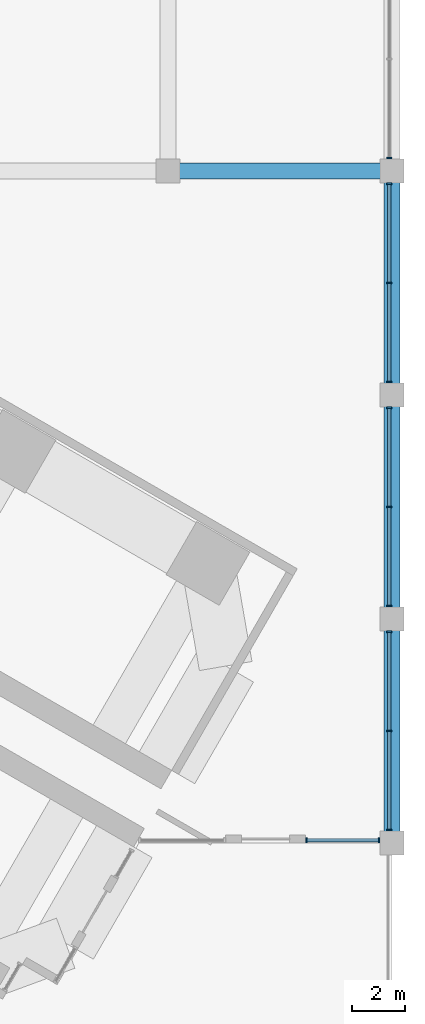
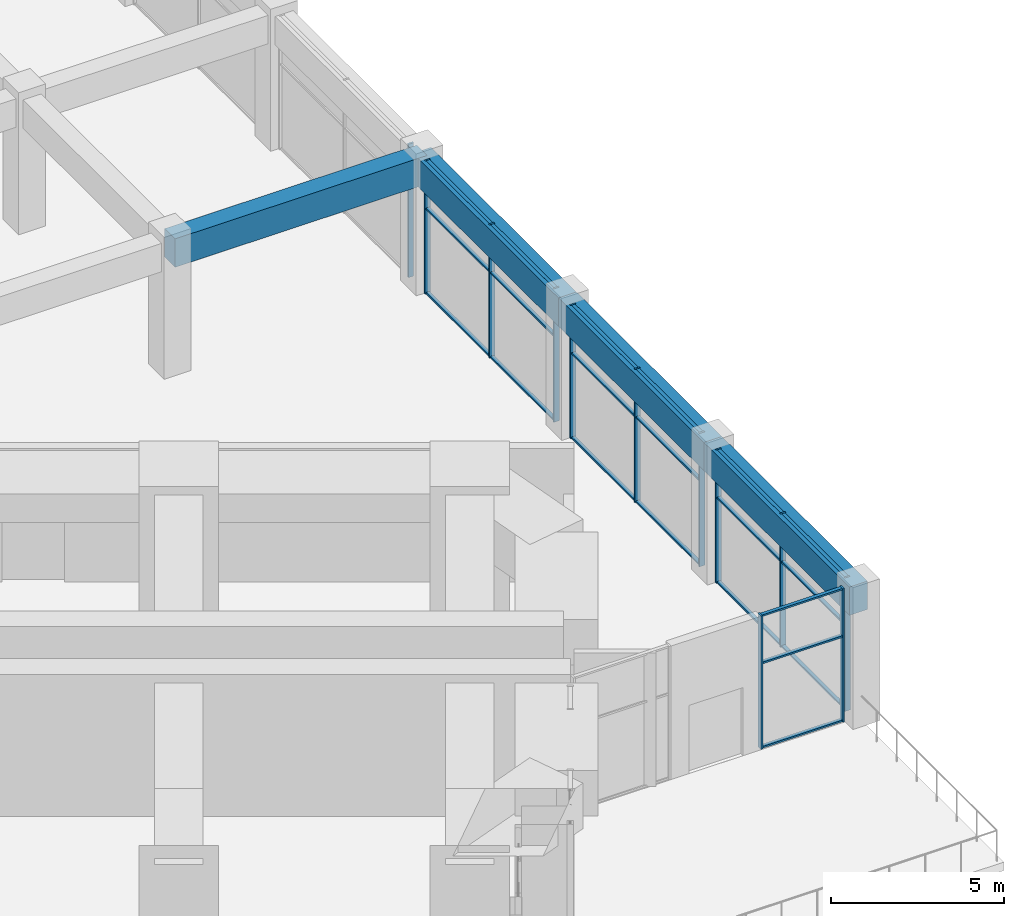
# One storey, part 13 of 34: 33 members, 4 beams, 5 elements without a shape of their own.
"""IFC4 building model written with IfcOpenShell, lengths in metres."""

from ifc_helpers import new_model, si_unit, direction, frame, origin, origin_2d, place, context, subcontext, project, spatial, rectangle, extrude, material, material_profile, profile_set, type_object, element, aggregate, save


model = new_model("IFC4")

# Units and contexts
model_context = context("Model", 3, precision=1e-05, world=origin(), true_north=direction((0.0, 1.0)))
body_context = subcontext(model_context, "Body", "Model", "MODEL_VIEW")
ifc_project = project(units=[si_unit("LENGTHUNIT", "METRE"), si_unit("AREAUNIT", "SQUARE_METRE"), si_unit("VOLUMEUNIT", "CUBIC_METRE"), si_unit("PLANEANGLEUNIT", "RADIAN"), si_unit("MASSUNIT", "GRAM", prefix="KILO")], contexts=[model_context])

# Site, building, storey
site_placement = place(None, origin())
site = spatial("IfcSite", under=ifc_project, at=site_placement, CompositionType="ELEMENT")
building_placement = place(site_placement, origin())
building = spatial("IfcBuilding", under=site, at=building_placement, Name="Impinga Residences", CompositionType="ELEMENT")
storey_placement = place(building_placement, frame((0.0, 0.0, 11.0)))
storey = spatial("IfcBuildingStorey", under=building, at=storey_placement, Name="L02", CompositionType="ELEMENT", Elevation=11.0)

# Curtain wall, member
ifc_material_1 = material(Name="Aluminium stick curtain wall", Category="aluminium")
curtain_wall_type = type_object("IfcCurtainWallType", Name="CW1 podium amenity curtain wall", PredefinedType="USERDEFINED", material=ifc_material_1)
curtain_wall_1_placement = place(storey_placement, origin())
curtain_wall_1 = element("IfcCurtainWall", 1, at=curtain_wall_1_placement, inside=storey, type_object=curtain_wall_type, Name="Curtain wall CW1 L02", ObjectType="STICK CURTAIN WALL", PredefinedType="USERDEFINED")
ifc_material_2 = material(Name="Aluminium mullion", Category="aluminium")
ifc_material_profile_1 = material_profile(ifc_material_2, rectangle(XDim=0.06005859375, YDim=0.179931640625, at=origin_2d()), Name="60x180 mullion")
ifc_profile_set_1 = profile_set([ifc_material_profile_1], Name="Aluminium mullion")
member_type_1 = type_object("IfcMemberType", Name="CW1-M mullion 60x180", PredefinedType="MULLION", material=ifc_profile_set_1)
member_1_placement = place(storey_placement, frame((50.300048828125, 0.48291015625, 0.0), z_axis=(0.0, 0.0, 1.0), x_axis=(0.0, -1.0, 0.0)))
member_1 = element("IfcMember", 2, at=member_1_placement, type_object=member_type_1, Name="CW1 mullion 3", PredefinedType="MULLION", context=body_context, shape_type="SweptSolid", body=[
    extrude(rectangle(XDim=0.06005859375, YDim=0.179931640625, at=origin_2d()), origin(), (0.0, 0.0, 1.0), 4.699951171875),
])
aggregate(curtain_wall_1, [member_1])

# Curtain wall, members
curtain_wall_2_placement = place(storey_placement, origin())
curtain_wall_2 = element("IfcCurtainWall", 3, at=curtain_wall_2_placement, inside=storey, type_object=curtain_wall_type, Name="Curtain wall CW1 L02", ObjectType="STICK CURTAIN WALL", PredefinedType="USERDEFINED")
member_2_placement = place(storey_placement, frame((50.300048828125, -0.48291015625, 0.0), z_axis=(0.0, 0.0, 1.0), x_axis=(0.0, -1.0, 0.0)))
member_2 = element("IfcMember", 4, at=member_2_placement, type_object=member_type_1, Name="CW1 mullion 1", PredefinedType="MULLION", context=body_context, shape_type="SweptSolid", body=[
    extrude(rectangle(XDim=0.06005859375, YDim=0.179931640625, at=origin_2d()), origin(), (0.0, 0.0, 1.0), 4.699951171875),
])
member_3_placement = place(storey_placement, frame((50.300048828125, -4.199951171875, 0.0), z_axis=(0.0, 0.0, 1.0), x_axis=(0.0, -1.0, 0.0)))
member_3 = element("IfcMember", 5, at=member_3_placement, type_object=member_type_1, Name="CW1 mullion 2", PredefinedType="MULLION", context=body_context, shape_type="SweptSolid", body=[
    extrude(rectangle(XDim=0.06005859375, YDim=0.179931640625, at=origin_2d()), origin(), (0.0, 0.0, 1.0), 4.699951171875),
])
member_4_placement = place(storey_placement, frame((50.300048828125, -7.9169921875, 0.0), z_axis=(0.0, 0.0, 1.0), x_axis=(0.0, -1.0, 0.0)))
member_4 = element("IfcMember", 6, at=member_4_placement, type_object=member_type_1, Name="CW1 mullion 3", PredefinedType="MULLION", context=body_context, shape_type="SweptSolid", body=[
    extrude(rectangle(XDim=0.06005859375, YDim=0.179931640625, at=origin_2d()), origin(), (0.0, 0.0, 1.0), 4.699951171875),
])

curtain_wall_3_placement = place(storey_placement, origin())
curtain_wall_3 = element("IfcCurtainWall", 7, at=curtain_wall_3_placement, inside=storey, type_object=curtain_wall_type, Name="Curtain wall CW1 L02", ObjectType="STICK CURTAIN WALL", PredefinedType="USERDEFINED")
member_5_placement = place(storey_placement, frame((50.300048828125, -8.883056640625, 0.0), z_axis=(0.0, 0.0, 1.0), x_axis=(0.0, -1.0, 0.0)))
member_5 = element("IfcMember", 8, at=member_5_placement, type_object=member_type_1, Name="CW1 mullion 1", PredefinedType="MULLION", context=body_context, shape_type="SweptSolid", body=[
    extrude(rectangle(XDim=0.06005859375, YDim=0.179931640625, at=origin_2d()), origin(), (0.0, 0.0, 1.0), 4.699951171875),
])
member_6_placement = place(storey_placement, frame((50.300048828125, -12.60009765625, 0.0), z_axis=(0.0, 0.0, 1.0), x_axis=(0.0, -1.0, 0.0)))
member_6 = element("IfcMember", 9, at=member_6_placement, type_object=member_type_1, Name="CW1 mullion 2", PredefinedType="MULLION", context=body_context, shape_type="SweptSolid", body=[
    extrude(rectangle(XDim=0.06005859375, YDim=0.179931640625, at=origin_2d()), origin(), (0.0, 0.0, 1.0), 4.699951171875),
])
member_7_placement = place(storey_placement, frame((50.300048828125, -16.31689453125, 0.0), z_axis=(0.0, 0.0, 1.0), x_axis=(0.0, -1.0, 0.0)))
member_7 = element("IfcMember", 10, at=member_7_placement, type_object=member_type_1, Name="CW1 mullion 3", PredefinedType="MULLION", context=body_context, shape_type="SweptSolid", body=[
    extrude(rectangle(XDim=0.06005859375, YDim=0.179931640625, at=origin_2d()), origin(), (0.0, 0.0, 1.0), 4.699951171875),
])

curtain_wall_4_placement = place(storey_placement, origin())
curtain_wall_4 = element("IfcCurtainWall", 11, at=curtain_wall_4_placement, inside=storey, type_object=curtain_wall_type, Name="Curtain wall CW1 L02", ObjectType="STICK CURTAIN WALL", PredefinedType="USERDEFINED")
member_8_placement = place(storey_placement, frame((50.300048828125, -17.282958984375, 0.0), z_axis=(0.0, 0.0, 1.0), x_axis=(0.0, -1.0, 0.0)))
member_8 = element("IfcMember", 12, at=member_8_placement, type_object=member_type_1, Name="CW1 mullion 1", PredefinedType="MULLION", context=body_context, shape_type="SweptSolid", body=[
    extrude(rectangle(XDim=0.06005859375, YDim=0.179931640625, at=origin_2d()), origin(), (0.0, 0.0, 1.0), 4.699951171875),
])
member_9_placement = place(storey_placement, frame((50.300048828125, -21.0, 0.0), z_axis=(0.0, 0.0, 1.0), x_axis=(0.0, -1.0, 0.0)))
member_9 = element("IfcMember", 13, at=member_9_placement, type_object=member_type_1, Name="CW1 mullion 2", PredefinedType="MULLION", context=body_context, shape_type="SweptSolid", body=[
    extrude(rectangle(XDim=0.06005859375, YDim=0.179931640625, at=origin_2d()), origin(), (0.0, 0.0, 1.0), 4.699951171875),
])
member_10_placement = place(storey_placement, frame((50.300048828125, -24.717041015625, 0.0), z_axis=(0.0, 0.0, 1.0), x_axis=(0.0, -1.0, 0.0)))
member_10 = element("IfcMember", 14, at=member_10_placement, type_object=member_type_1, Name="CW1 mullion 3", PredefinedType="MULLION", context=body_context, shape_type="SweptSolid", body=[
    extrude(rectangle(XDim=0.06005859375, YDim=0.179931640625, at=origin_2d()), origin(), (0.0, 0.0, 1.0), 4.699951171875),
])

curtain_wall_5_placement = place(storey_placement, origin())
curtain_wall_5 = element("IfcCurtainWall", 15, at=curtain_wall_5_placement, inside=storey, type_object=curtain_wall_type, Name="Curtain wall CW1 L02", ObjectType="STICK CURTAIN WALL", PredefinedType="USERDEFINED")
member_11_placement = place(storey_placement, frame((49.9169921875, -25.10009765625, 0.0), z_axis=(0.0, 0.0, 1.0), x_axis=(-1.0, 0.0, 0.0)))
member_11 = element("IfcMember", 16, at=member_11_placement, type_object=member_type_1, Name="CW1 mullion 1", PredefinedType="MULLION", context=body_context, shape_type="SweptSolid", body=[
    extrude(rectangle(XDim=0.06005859375, YDim=0.179931640625, at=origin_2d()), origin(), (0.0, 0.0, 1.0), 4.699951171875),
])
member_12_placement = place(storey_placement, frame((47.1865234375, -25.10009765625, 0.0), z_axis=(0.0, 0.0, 1.0), x_axis=(-1.0, 0.0, 0.0)))
member_12 = element("IfcMember", 17, at=member_12_placement, type_object=member_type_1, Name="CW1 mullion 2", PredefinedType="MULLION", context=body_context, shape_type="SweptSolid", body=[
    extrude(rectangle(XDim=0.06005859375, YDim=0.179931640625, at=origin_2d()), origin(), (0.0, 0.0, 1.0), 4.699951171875),
])

# Member
ifc_material_3 = material(Name="Aluminium transom", Category="aluminium")
ifc_material_profile_2 = material_profile(ifc_material_3, rectangle(XDim=0.06005859375, YDim=0.1201171875, at=origin_2d()), Name="60x120 transom")
ifc_profile_set_2 = profile_set([ifc_material_profile_2], Name="Aluminium transom")
member_type_2 = type_object("IfcMemberType", Name="CW1-T transom 60x120", PredefinedType="USERDEFINED", material=ifc_profile_set_2)
member_13_placement = place(storey_placement, frame((50.300048828125, -0.512939453125, 0.030029296875), z_axis=(0.0, -1.0, 0.0), x_axis=(0.0, 0.0, 1.0)))
member_13 = element("IfcMember", 18, at=member_13_placement, type_object=member_type_2, Name="CW1 transom 1.1", ObjectType="TRANSOM", PredefinedType="USERDEFINED", context=body_context, shape_type="SweptSolid", body=[
    extrude(rectangle(XDim=0.06005859375, YDim=0.1201171875, at=origin_2d()), origin(), (0.0, 0.0, 1.0), 3.656982421875),
])

member_14_placement = place(storey_placement, frame((50.300048828125, -0.512939453125, 3.0), z_axis=(0.0, -1.0, 0.0), x_axis=(0.0, 0.0, 1.0)))
member_14 = element("IfcMember", 19, at=member_14_placement, type_object=member_type_2, Name="CW1 transom 1.2", ObjectType="TRANSOM", PredefinedType="USERDEFINED", context=body_context, shape_type="SweptSolid", body=[
    extrude(rectangle(XDim=0.06005859375, YDim=0.1201171875, at=origin_2d()), origin(), (0.0, 0.0, 1.0), 3.656982421875),
])

member_15_placement = place(storey_placement, frame((50.300048828125, -0.512939453125, 4.669921875), z_axis=(0.0, -1.0, 0.0), x_axis=(0.0, 0.0, 1.0)))
member_15 = element("IfcMember", 20, at=member_15_placement, type_object=member_type_2, Name="CW1 transom 1.3", ObjectType="TRANSOM", PredefinedType="USERDEFINED", context=body_context, shape_type="SweptSolid", body=[
    extrude(rectangle(XDim=0.06005859375, YDim=0.1201171875, at=origin_2d()), origin(), (0.0, 0.0, 1.0), 3.656982421875),
])

member_16_placement = place(storey_placement, frame((50.300048828125, -4.22998046875, 0.030029296875), z_axis=(0.0, -1.0, 0.0), x_axis=(0.0, 0.0, 1.0)))
member_16 = element("IfcMember", 21, at=member_16_placement, type_object=member_type_2, Name="CW1 transom 2.1", ObjectType="TRANSOM", PredefinedType="USERDEFINED", context=body_context, shape_type="SweptSolid", body=[
    extrude(rectangle(XDim=0.06005859375, YDim=0.1201171875, at=origin_2d()), origin(), (0.0, 0.0, 1.0), 3.656982421875),
])

member_17_placement = place(storey_placement, frame((50.300048828125, -4.22998046875, 3.0), z_axis=(0.0, -1.0, 0.0), x_axis=(0.0, 0.0, 1.0)))
member_17 = element("IfcMember", 22, at=member_17_placement, type_object=member_type_2, Name="CW1 transom 2.2", ObjectType="TRANSOM", PredefinedType="USERDEFINED", context=body_context, shape_type="SweptSolid", body=[
    extrude(rectangle(XDim=0.06005859375, YDim=0.1201171875, at=origin_2d()), origin(), (0.0, 0.0, 1.0), 3.656982421875),
])

member_18_placement = place(storey_placement, frame((50.300048828125, -4.22998046875, 4.669921875), z_axis=(0.0, -1.0, 0.0), x_axis=(0.0, 0.0, 1.0)))
member_18 = element("IfcMember", 23, at=member_18_placement, type_object=member_type_2, Name="CW1 transom 2.3", ObjectType="TRANSOM", PredefinedType="USERDEFINED", context=body_context, shape_type="SweptSolid", body=[
    extrude(rectangle(XDim=0.06005859375, YDim=0.1201171875, at=origin_2d()), origin(), (0.0, 0.0, 1.0), 3.656982421875),
])

aggregate(curtain_wall_2, [member_2, member_3, member_4, member_13, member_14, member_15, member_16, member_17, member_18])

member_19_placement = place(storey_placement, frame((50.300048828125, -8.9130859375, 0.030029296875), z_axis=(0.0, -1.0, 0.0), x_axis=(0.0, 0.0, 1.0)))
member_19 = element("IfcMember", 24, at=member_19_placement, type_object=member_type_2, Name="CW1 transom 1.1", ObjectType="TRANSOM", PredefinedType="USERDEFINED", context=body_context, shape_type="SweptSolid", body=[
    extrude(rectangle(XDim=0.06005859375, YDim=0.1201171875, at=origin_2d()), origin(), (0.0, 0.0, 1.0), 3.656982421875),
])

member_20_placement = place(storey_placement, frame((50.300048828125, -8.9130859375, 3.0), z_axis=(0.0, -1.0, 0.0), x_axis=(0.0, 0.0, 1.0)))
member_20 = element("IfcMember", 25, at=member_20_placement, type_object=member_type_2, Name="CW1 transom 1.2", ObjectType="TRANSOM", PredefinedType="USERDEFINED", context=body_context, shape_type="SweptSolid", body=[
    extrude(rectangle(XDim=0.06005859375, YDim=0.1201171875, at=origin_2d()), origin(), (0.0, 0.0, 1.0), 3.656982421875),
])

member_21_placement = place(storey_placement, frame((50.300048828125, -8.9130859375, 4.669921875), z_axis=(0.0, -1.0, 0.0), x_axis=(0.0, 0.0, 1.0)))
member_21 = element("IfcMember", 26, at=member_21_placement, type_object=member_type_2, Name="CW1 transom 1.3", ObjectType="TRANSOM", PredefinedType="USERDEFINED", context=body_context, shape_type="SweptSolid", body=[
    extrude(rectangle(XDim=0.06005859375, YDim=0.1201171875, at=origin_2d()), origin(), (0.0, 0.0, 1.0), 3.656982421875),
])

member_22_placement = place(storey_placement, frame((50.300048828125, -12.6298828125, 0.030029296875), z_axis=(0.0, -1.0, 0.0), x_axis=(0.0, 0.0, 1.0)))
member_22 = element("IfcMember", 27, at=member_22_placement, type_object=member_type_2, Name="CW1 transom 2.1", ObjectType="TRANSOM", PredefinedType="USERDEFINED", context=body_context, shape_type="SweptSolid", body=[
    extrude(rectangle(XDim=0.06005859375, YDim=0.1201171875, at=origin_2d()), origin(), (0.0, 0.0, 1.0), 3.6572265625),
])

member_23_placement = place(storey_placement, frame((50.300048828125, -12.6298828125, 3.0), z_axis=(0.0, -1.0, 0.0), x_axis=(0.0, 0.0, 1.0)))
member_23 = element("IfcMember", 28, at=member_23_placement, type_object=member_type_2, Name="CW1 transom 2.2", ObjectType="TRANSOM", PredefinedType="USERDEFINED", context=body_context, shape_type="SweptSolid", body=[
    extrude(rectangle(XDim=0.06005859375, YDim=0.1201171875, at=origin_2d()), origin(), (0.0, 0.0, 1.0), 3.6572265625),
])

member_24_placement = place(storey_placement, frame((50.300048828125, -12.6298828125, 4.669921875), z_axis=(0.0, -1.0, 0.0), x_axis=(0.0, 0.0, 1.0)))
member_24 = element("IfcMember", 29, at=member_24_placement, type_object=member_type_2, Name="CW1 transom 2.3", ObjectType="TRANSOM", PredefinedType="USERDEFINED", context=body_context, shape_type="SweptSolid", body=[
    extrude(rectangle(XDim=0.06005859375, YDim=0.1201171875, at=origin_2d()), origin(), (0.0, 0.0, 1.0), 3.6572265625),
])

aggregate(curtain_wall_3, [member_5, member_6, member_7, member_19, member_20, member_21, member_22, member_23, member_24])

member_25_placement = place(storey_placement, frame((50.300048828125, -17.31298828125, 0.030029296875), z_axis=(0.0, -1.0, 0.0), x_axis=(0.0, 0.0, 1.0)))
member_25 = element("IfcMember", 30, at=member_25_placement, type_object=member_type_2, Name="CW1 transom 1.1", ObjectType="TRANSOM", PredefinedType="USERDEFINED", context=body_context, shape_type="SweptSolid", body=[
    extrude(rectangle(XDim=0.06005859375, YDim=0.1201171875, at=origin_2d()), origin(), (0.0, 0.0, 1.0), 3.656982421875),
])

member_26_placement = place(storey_placement, frame((50.300048828125, -17.31298828125, 3.0), z_axis=(0.0, -1.0, 0.0), x_axis=(0.0, 0.0, 1.0)))
member_26 = element("IfcMember", 31, at=member_26_placement, type_object=member_type_2, Name="CW1 transom 1.2", ObjectType="TRANSOM", PredefinedType="USERDEFINED", context=body_context, shape_type="SweptSolid", body=[
    extrude(rectangle(XDim=0.06005859375, YDim=0.1201171875, at=origin_2d()), origin(), (0.0, 0.0, 1.0), 3.656982421875),
])

member_27_placement = place(storey_placement, frame((50.300048828125, -17.31298828125, 4.669921875), z_axis=(0.0, -1.0, 0.0), x_axis=(0.0, 0.0, 1.0)))
member_27 = element("IfcMember", 32, at=member_27_placement, type_object=member_type_2, Name="CW1 transom 1.3", ObjectType="TRANSOM", PredefinedType="USERDEFINED", context=body_context, shape_type="SweptSolid", body=[
    extrude(rectangle(XDim=0.06005859375, YDim=0.1201171875, at=origin_2d()), origin(), (0.0, 0.0, 1.0), 3.656982421875),
])

member_28_placement = place(storey_placement, frame((50.300048828125, -21.030029296875, 0.030029296875), z_axis=(0.0, -1.0, 0.0), x_axis=(0.0, 0.0, 1.0)))
member_28 = element("IfcMember", 33, at=member_28_placement, type_object=member_type_2, Name="CW1 transom 2.1", ObjectType="TRANSOM", PredefinedType="USERDEFINED", context=body_context, shape_type="SweptSolid", body=[
    extrude(rectangle(XDim=0.06005859375, YDim=0.1201171875, at=origin_2d()), origin(), (0.0, 0.0, 1.0), 3.656982421875),
])

member_29_placement = place(storey_placement, frame((50.300048828125, -21.030029296875, 3.0), z_axis=(0.0, -1.0, 0.0), x_axis=(0.0, 0.0, 1.0)))
member_29 = element("IfcMember", 34, at=member_29_placement, type_object=member_type_2, Name="CW1 transom 2.2", ObjectType="TRANSOM", PredefinedType="USERDEFINED", context=body_context, shape_type="SweptSolid", body=[
    extrude(rectangle(XDim=0.06005859375, YDim=0.1201171875, at=origin_2d()), origin(), (0.0, 0.0, 1.0), 3.656982421875),
])

member_30_placement = place(storey_placement, frame((50.300048828125, -21.030029296875, 4.669921875), z_axis=(0.0, -1.0, 0.0), x_axis=(0.0, 0.0, 1.0)))
member_30 = element("IfcMember", 35, at=member_30_placement, type_object=member_type_2, Name="CW1 transom 2.3", ObjectType="TRANSOM", PredefinedType="USERDEFINED", context=body_context, shape_type="SweptSolid", body=[
    extrude(rectangle(XDim=0.06005859375, YDim=0.1201171875, at=origin_2d()), origin(), (0.0, 0.0, 1.0), 3.656982421875),
])

aggregate(curtain_wall_4, [member_8, member_9, member_10, member_25, member_26, member_27, member_28, member_29, member_30])

member_31_placement = place(storey_placement, frame((49.886962890625, -25.10009765625, 0.030029296875), z_axis=(-1.0, 0.0, 0.0), x_axis=(0.0, 0.0, 1.0)))
member_31 = element("IfcMember", 36, at=member_31_placement, type_object=member_type_2, Name="CW1 transom 1.1", ObjectType="TRANSOM", PredefinedType="USERDEFINED", context=body_context, shape_type="SweptSolid", body=[
    extrude(rectangle(XDim=0.06005859375, YDim=0.1201171875, at=origin_2d()), origin(), (0.0, 0.0, 1.0), 2.670654296875),
])

member_32_placement = place(storey_placement, frame((49.886962890625, -25.10009765625, 3.0), z_axis=(-1.0, 0.0, 0.0), x_axis=(0.0, 0.0, 1.0)))
member_32 = element("IfcMember", 37, at=member_32_placement, type_object=member_type_2, Name="CW1 transom 1.2", ObjectType="TRANSOM", PredefinedType="USERDEFINED", context=body_context, shape_type="SweptSolid", body=[
    extrude(rectangle(XDim=0.06005859375, YDim=0.1201171875, at=origin_2d()), origin(), (0.0, 0.0, 1.0), 2.670654296875),
])

member_33_placement = place(storey_placement, frame((49.886962890625, -25.10009765625, 4.669921875), z_axis=(-1.0, 0.0, 0.0), x_axis=(0.0, 0.0, 1.0)))
member_33 = element("IfcMember", 38, at=member_33_placement, type_object=member_type_2, Name="CW1 transom 1.3", ObjectType="TRANSOM", PredefinedType="USERDEFINED", context=body_context, shape_type="SweptSolid", body=[
    extrude(rectangle(XDim=0.06005859375, YDim=0.1201171875, at=origin_2d()), origin(), (0.0, 0.0, 1.0), 2.670654296875),
])

aggregate(curtain_wall_5, [member_11, member_12, member_31, member_32, member_33])

# Beams
ifc_material_4 = material(Name="Concrete C60/75", Category="concrete")
ifc_material_profile_3 = material_profile(ifc_material_4, rectangle(XDim=0.60009765625, YDim=1.0, at=origin_2d()), Name="RC 600x1000")
ifc_profile_set_3 = profile_set([ifc_material_profile_3], Name="Concrete C60/75")
beam_type = type_object("IfcBeamType", Name="PB2 600x1000 podium beam", PredefinedType="BEAM", material=ifc_profile_set_3)
for number, where, z_axis, x_axis, name in (
    (39, (42.0, 0.0, 4.199951171875), (1.0, 0.0, 0.0), (0.0, 1.0, 0.0), "Beam PB2 F/12-13 level L03"),
    (40, (50.39990234375, -25.199951171875, 4.199951171875), (0.0, 1.0, 0.0), (-1.0, 0.0, 0.0), "Beam PB2 13/C-D level L03"),
):
    element("IfcBeam", number, at=place(storey_placement, frame(where, z_axis=z_axis, x_axis=x_axis)), inside=storey, type_object=beam_type, Name=name, PredefinedType="BEAM", context=body_context, shape_type="SweptSolid", body=[
        extrude(rectangle(XDim=0.60009765625, YDim=1.0, at=origin_2d()), origin(), (0.0, 0.0, 1.0), 8.39990234375),
    ])
beam_1_placement = place(storey_placement, frame((50.39990234375, -16.800048828125, 4.199951171875), z_axis=(0.0, 1.0, 0.0), x_axis=(-1.0, 0.0, 0.0)))
element("IfcBeam", 41, at=beam_1_placement, inside=storey, type_object=beam_type, Name="Beam PB2 13/D-E level L03", PredefinedType="BEAM", context=body_context, shape_type="SweptSolid", body=[
    extrude(rectangle(XDim=0.60009765625, YDim=1.0, at=origin_2d()), origin(), (0.0, 0.0, 1.0), 8.400146484375),
])
beam_2_placement = place(storey_placement, frame((50.39990234375, -8.39990234375, 4.199951171875), z_axis=(0.0, 1.0, 0.0), x_axis=(-1.0, 0.0, 0.0)))
element("IfcBeam", 42, at=beam_2_placement, inside=storey, type_object=beam_type, Name="Beam PB2 13/E-F level L03", PredefinedType="BEAM", context=body_context, shape_type="SweptSolid", body=[
    extrude(rectangle(XDim=0.60009765625, YDim=1.0, at=origin_2d()), origin(), (0.0, 0.0, 1.0), 8.39990234375),
])

save(model, "model.ifc")
